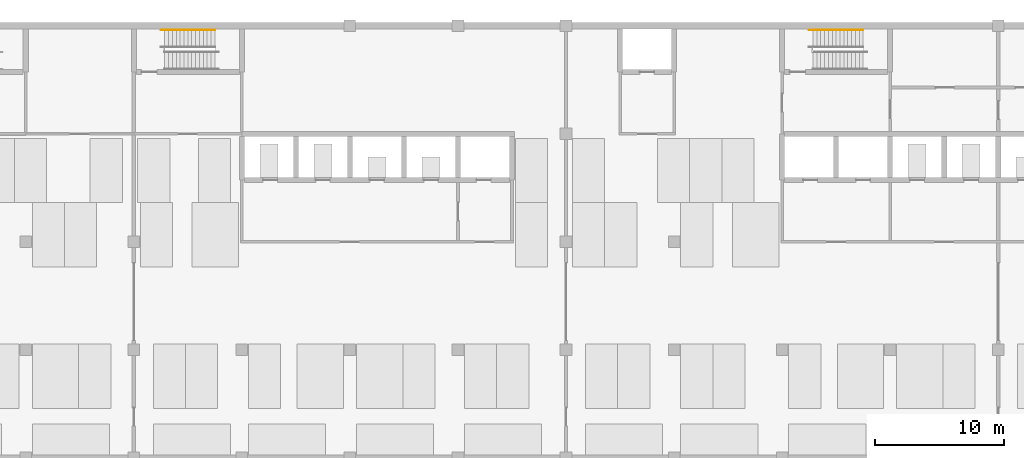
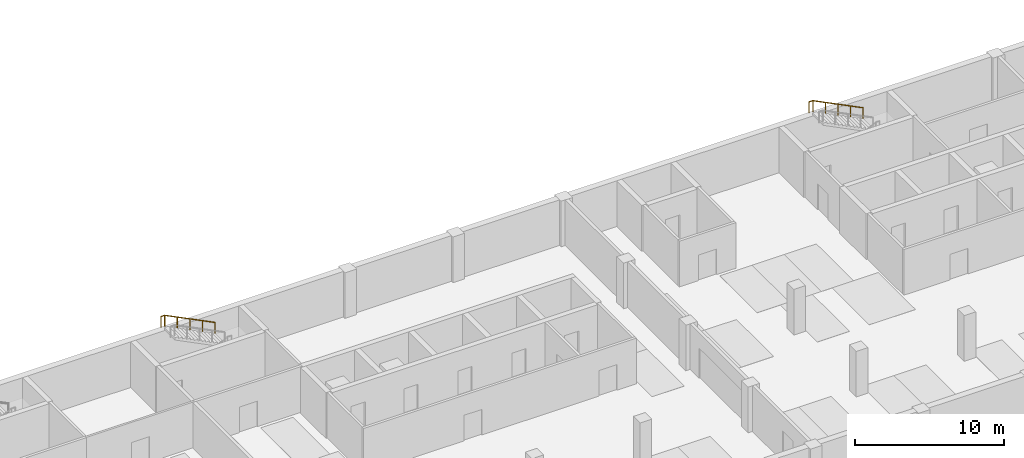
# One storey, part 10 of 14: 2 railings.
"""IFC4 building model written with IfcOpenShell, lengths in metres."""

from ifc_helpers import new_model, si_unit, direction, frame, origin, origin_2d, place, context, subcontext, project, spatial, circle, extrude, material, type_object, element, save


model = new_model("IFC4")

# Units and contexts
model_context = context("Model", 3, precision=1e-05, world=origin(), true_north=direction((0.0, 1.0)))
body_context = subcontext(model_context, "Body", "Model", "MODEL_VIEW")
ifc_project = project(units=[si_unit("LENGTHUNIT", "METRE"), si_unit("AREAUNIT", "SQUARE_METRE"), si_unit("VOLUMEUNIT", "CUBIC_METRE"), si_unit("PLANEANGLEUNIT", "RADIAN"), si_unit("MASSUNIT", "GRAM", prefix="KILO")], contexts=[model_context])

# Site, building, storey
site_placement = place(None, origin())
site = spatial("IfcSite", under=ifc_project, at=site_placement, CompositionType="ELEMENT")
building_placement = place(site_placement, origin())
building = spatial("IfcBuilding", under=site, at=building_placement, Name="Yavir Park General Hospital", CompositionType="ELEMENT")
storey_placement = place(building_placement, frame((0.0, 0.0, -4.199951171875)))
storey = spatial("IfcBuildingStorey", under=building, at=storey_placement, Name="B1", CompositionType="ELEMENT", Elevation=-4.199951171875)

# Railings
ifc_material = material(Name="Stainless steel tube 48 mm", Category="steel")
railing_type = type_object("IfcRailingType", Name="Stair handrail, steel tube, 900 mm above the nosings", PredefinedType="HANDRAIL", material=ifc_material)
for number, where, name in (
    (1, (73.5, 33.260009765625, 2.25), "Handrail BS3 B1 3"),
    (2, (123.89990234375, 33.260009765625, 2.25), "Handrail BS4 B1 3"),
):
    element("IfcRailing", number, at=place(storey_placement, frame(where)), inside=storey, type_object=railing_type, Name=name, PredefinedType="HANDRAIL", context=body_context, shape_type="SweptSolid", body=[
        extrude(circle(Radius=0.02392578125, at=origin_2d()), frame((0.0, 0.0, 0.8759765625), z_axis=(-0.894427191, 0.0, 0.4472135955), x_axis=(0.0, -1.0, 0.0)), (0.0, 0.0, 1.0), 4.360107421875),
        extrude(circle(Radius=0.02392578125, at=origin_2d()), frame((-3.89990234375, 0.0, 2.82568359375), z_axis=(-1.0, 0.0, 0.0), x_axis=(0.0, -1.0, 0.0)), (0.0, 0.0, 1.0), 0.300048828125),
        extrude(circle(Radius=0.02099609375, at=origin_2d()), origin(), (0.0, 0.0, 1.0), 0.851806640625),
        extrude(circle(Radius=0.02099609375, at=origin_2d()), frame((-0.97509765625, 0.0, 0.487548828125)), (0.0, 0.0, 1.0), 0.851806640625),
        extrude(circle(Radius=0.02099609375, at=origin_2d()), frame((-1.949951171875, 0.0, 0.97509765625)), (0.0, 0.0, 1.0), 0.851806640625),
        extrude(circle(Radius=0.02099609375, at=origin_2d()), frame((-2.9248046875, 0.0, 1.46240234375)), (0.0, 0.0, 1.0), 0.851806640625),
        extrude(circle(Radius=0.02099609375, at=origin_2d()), frame((-3.89990234375, 0.0, 1.949951171875)), (0.0, 0.0, 1.0), 0.851806640625),
        extrude(circle(Radius=0.02099609375, at=origin_2d()), frame((-4.199951171875, 0.0, 1.949951171875)), (0.0, 0.0, 1.0), 0.851806640625),
    ])

save(model, "model.ifc")
